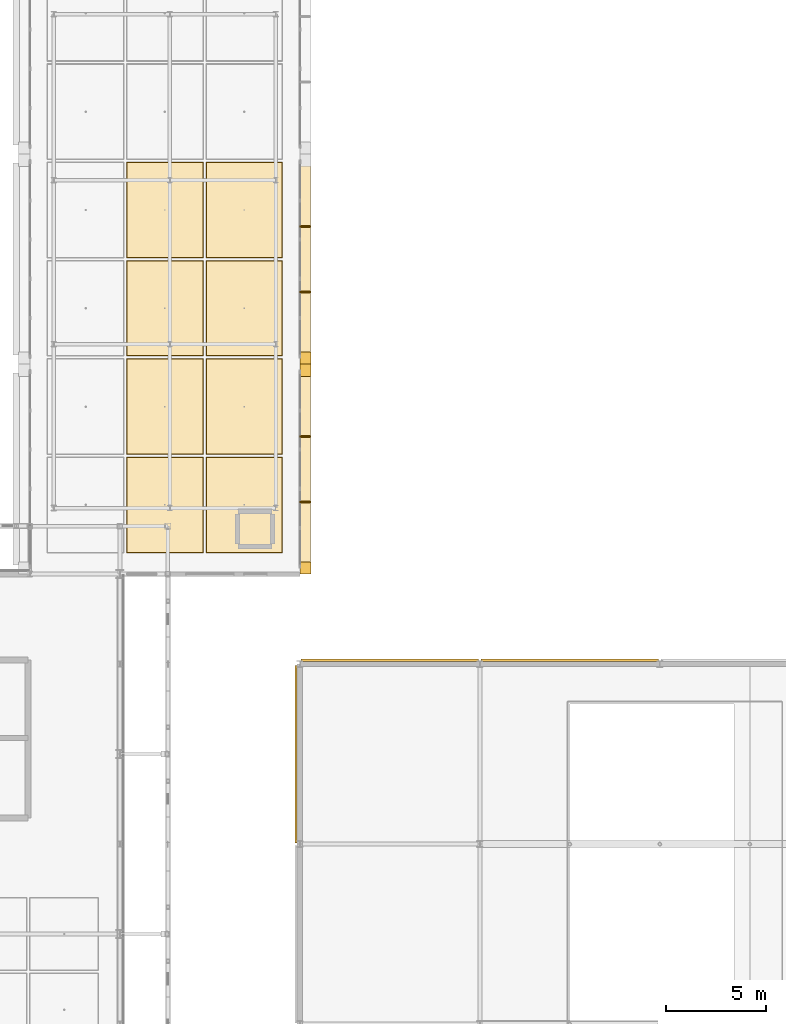
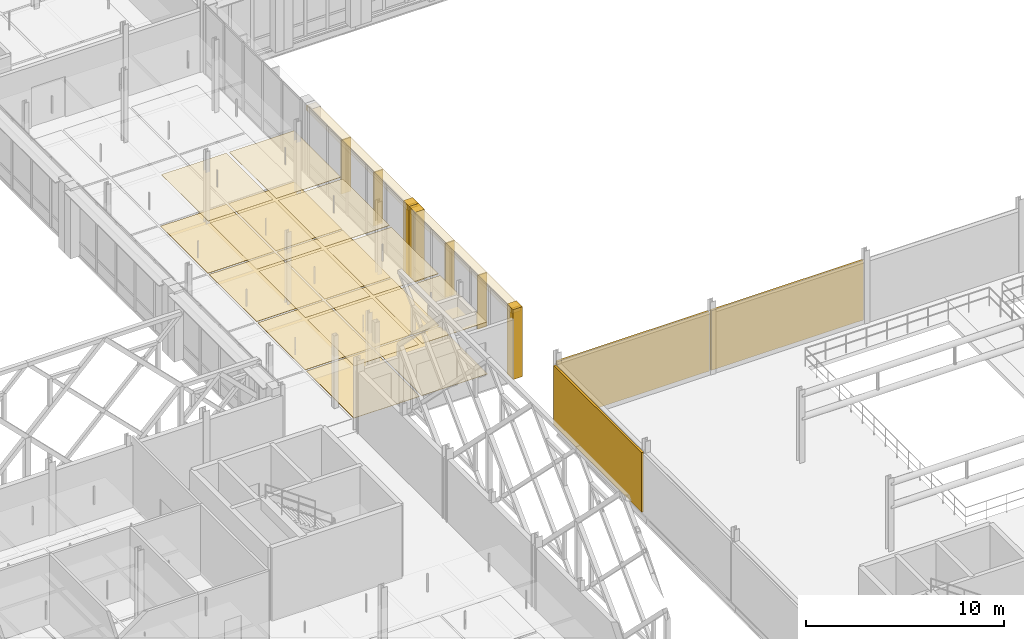
# One storey, part 133 of 140: 24 coverings, 4 shading devices.
"""IFC4 building model written with IfcOpenShell, lengths in metres."""

import ifcopenshell
import ifcopenshell.guid

model = None  # the IFC model being written
_history = None  # IfcOwnerHistory: only IFC2X3 demands one
_inside = {}  # id of a spatial element -> (the spatial element, [elements in it])
_under = {}  # id of a project, library or spatial element -> (it, [spatial elements below it])
_declared = {}  # id of a project -> (the project, [libraries it declares])
_typed = {}  # id of a type object -> (the type object, [elements of that type])
_made_of = {}  # id of a material, layer set ... -> (it, [elements and type objects made of it])


def new_model(schema):
    """Start an empty IFC model of exactly this schema.

    Asked for "IFC4X3", IfcOpenShell would pick the latest addendum, in which some entities
    have other attributes; the version numbers below select the first issue.
    IFC2X3 requires an IfcOwnerHistory on every rooted entity: one is made here for all.
    """
    global model, _history
    if schema == "IFC4X3":
        model = ifcopenshell.file(schema_version=(4, 3, 0, 0))
    else:
        model = ifcopenshell.file(schema=schema)
    _inside.clear()
    _under.clear()
    _declared.clear()
    _typed.clear()
    _made_of.clear()
    _history = None
    if model.schema == "IFC2X3":
        org = make("IfcOrganization", Name="unknown")
        user = make(
            "IfcPersonAndOrganization",
            ThePerson=make("IfcPerson", FamilyName="unknown"),
            TheOrganization=org,
        )
        app = make(
            "IfcApplication",
            ApplicationDeveloper=org,
            Version="unknown",
            ApplicationFullName="unknown",
            ApplicationIdentifier="unknown",
        )
        _history = make(
            "IfcOwnerHistory",
            OwningUser=user,
            OwningApplication=app,
            ChangeAction="ADDED",
            CreationDate=0,
        )
    return model


def make(cls, **values):
    """One entity of the class cls with the attributes given. An attribute that is None is left unset."""
    return model.create_entity(
        cls, **{name: value for name, value in values.items() if value is not None}
    )


def rooted(cls, **values):
    """An entity with a GlobalId (a new one), such as an element, a storey or a relation."""
    return make(cls, GlobalId=ifcopenshell.guid.new(), OwnerHistory=_history, **values)


def si_unit(unit_type, name, prefix=None):
    """IfcSIUnit, for example si_unit("LENGTHUNIT", "METRE", prefix="MILLI")."""
    return make("IfcSIUnit", UnitType=unit_type, Prefix=prefix, Name=name)


def assignment(units):
    """IfcUnitAssignment: the units of a project."""
    return None if units is None else make("IfcUnitAssignment", Units=units)


def point(xyz):
    """IfcCartesianPoint."""
    return None if xyz is None else make("IfcCartesianPoint", Coordinates=xyz)


def direction(xyz):
    """IfcDirection."""
    return None if xyz is None else make("IfcDirection", DirectionRatios=xyz)


def frame(location, z_axis=None, x_axis=None):
    """IfcAxis2Placement3D, a coordinate frame: its origin and axes. An axis left out is left unset."""
    return make(
        "IfcAxis2Placement3D",
        Location=point(location),
        Axis=direction(z_axis),
        RefDirection=direction(x_axis),
    )


def frame_2d(location, x_axis=None):
    """IfcAxis2Placement2D, a coordinate frame in the plane: its origin and x axis."""
    return make(
        "IfcAxis2Placement2D", Location=point(location), RefDirection=direction(x_axis)
    )


def origin():
    """The frame at (0, 0, 0) with its axes left unset."""
    return frame((0.0, 0.0, 0.0))


def origin_2d():
    """The frame at (0, 0) in the plane with its x axis left unset."""
    return frame_2d((0.0, 0.0))


def place(relative_to, where):
    """IfcLocalPlacement: puts the frame where relative to a parent placement (None: the world)."""
    return make(
        "IfcLocalPlacement", PlacementRelTo=relative_to, RelativePlacement=where
    )


def context(
    kind, dimensions, precision=None, world=None, true_north=None, identifier=None
):
    """IfcGeometricRepresentationContext, for example the 3D "Model" context."""
    return make(
        "IfcGeometricRepresentationContext",
        ContextIdentifier=identifier,
        ContextType=kind,
        CoordinateSpaceDimension=dimensions,
        Precision=precision,
        WorldCoordinateSystem=world,
        TrueNorth=true_north,
    )


def subcontext(parent, identifier, kind, view, scale=None):
    """IfcGeometricRepresentationSubContext, for example "Body" below "Model"."""
    return make(
        "IfcGeometricRepresentationSubContext",
        ContextIdentifier=identifier,
        ContextType=kind,
        ParentContext=parent,
        TargetScale=scale,
        TargetView=view,
    )


def project(units=None, contexts=None):
    """IfcProject with its units and contexts."""
    return rooted(
        "IfcProject",
        Name="project",
        RepresentationContexts=contexts,
        UnitsInContext=assignment(units),
    )


def spatial(cls, under=None, at=None, **own):
    """A site, building, storey or space (cls), placed at a placement, below another one or the project."""
    s = rooted(cls, ObjectPlacement=at, **own)
    if under is not None:
        _under.setdefault(under.id(), (under, []))[1].append(s)
    return s


def profile(cls, at=None, kind="AREA", **sizes):
    """A parametric profile (cls). Its sizes go by their IFC names, for example OverallWidth=200.0."""
    return make(cls, ProfileType=kind, Position=at, **sizes)


def rectangle(**sizes):
    """IfcRectangleProfileDef."""
    return profile("IfcRectangleProfileDef", **sizes)


def extrude(swept, where, along, depth):
    """IfcExtrudedAreaSolid: the profile swept, set in the frame where, extruded along a direction by depth."""
    return make(
        "IfcExtrudedAreaSolid",
        SweptArea=swept,
        Position=where,
        ExtrudedDirection=direction(along),
        Depth=depth,
    )


def shape(context_of_items, identifier, shape_type, items):
    """IfcShapeRepresentation: the items that make up one representation, for example the "Body"."""
    return make(
        "IfcShapeRepresentation",
        ContextOfItems=context_of_items,
        RepresentationIdentifier=identifier,
        RepresentationType=shape_type,
        Items=items,
    )


def material(Name=None, Category=None):
    """IfcMaterial."""
    return make("IfcMaterial", Name=Name, Category=Category)


def layer(
    of_material, thickness, ventilated=None, Name=None, Category=None, Priority=None
):
    """IfcMaterialLayer: one layer of a wall or slab, of a material (None: an air gap)."""
    return make(
        "IfcMaterialLayer",
        Material=of_material,
        LayerThickness=thickness,
        IsVentilated=ventilated,
        Name=Name,
        Category=Category,
        Priority=Priority,
    )


def layer_set(layers, Name=None):
    """IfcMaterialLayerSet."""
    return make("IfcMaterialLayerSet", MaterialLayers=layers, LayerSetName=Name)


def made_of(thing, what):
    """Note that an element or type object is made of a material, layer set ...; save() writes the relation."""
    if what is not None:
        _made_of.setdefault(what.id(), (what, []))[1].append(thing)
    return thing


def type_object(cls, material=None, **own):
    """A type object (cls), such as IfcWallType, which elements share."""
    return made_of(rooted(cls, **own), material)


def element(
    cls,
    number,
    at=None,
    inside=None,
    cuts=None,
    type_object=None,
    material=None,
    context=None,
    identifier="Body",
    shape_type=None,
    held_by="IfcProductDefinitionShape",
    body=None,
    shapes=None,
    **own,
):
    """One element of the class cls, such as IfcWall. Its Tag is "e" and its number.

    at: its placement. inside: the storey or other place that contains it. cuts: it is an
    opening in that element (IfcRelVoidsElement). A single representation is given by context,
    identifier, shape_type and body (its items); several are given by shapes. held_by: the class
    of the entity that holds the representations. save() writes the other relations.
    """
    e = rooted(cls, Tag="e%d" % number, ObjectPlacement=at, **own)
    if body is not None:
        shapes = [shape(context, identifier, shape_type, body)]
    if shapes is not None:
        e.Representation = make(held_by, Representations=shapes)
    if inside is not None:
        _inside.setdefault(inside.id(), (inside, []))[1].append(e)
    if cuts is not None:
        rooted(
            "IfcRelVoidsElement", RelatingBuildingElement=cuts, RelatedOpeningElement=e
        )
    if type_object is not None:
        _typed.setdefault(type_object.id(), (type_object, []))[1].append(e)
    return made_of(e, material)


def aggregate(whole, parts):
    """IfcRelAggregates: a whole, such as a stair, and the parts it consists of."""
    return rooted("IfcRelAggregates", RelatingObject=whole, RelatedObjects=parts)


def save(model, path):
    """Write the relations noted so far, then the file.

    IfcRelAggregates (storeys below a building ...), IfcRelContainedInSpatialStructure (elements
    in a storey), IfcRelDefinesByType, IfcRelAssociatesMaterial and IfcRelDeclares: one each for
    every whole, place, type object, material and project.
    """
    for whole, parts in _under.values():
        aggregate(whole, parts)
    for where, things in _inside.values():
        rooted(
            "IfcRelContainedInSpatialStructure",
            RelatedElements=things,
            RelatingStructure=where,
        )
    for kind, things in _typed.values():
        rooted("IfcRelDefinesByType", RelatedObjects=things, RelatingType=kind)
    for what, things in _made_of.values():
        rooted("IfcRelAssociatesMaterial", RelatedObjects=things, RelatingMaterial=what)
    for by, libraries in _declared.values():
        rooted("IfcRelDeclares", RelatingContext=by, RelatedDefinitions=libraries)
    model.write(path)


model = new_model("IFC4")

# Units and contexts
model_context = context("Model", 3, precision=1e-05, world=origin(), true_north=direction((0.0, 1.0)))
body_context = subcontext(model_context, "Body", "Model", "MODEL_VIEW")
ifc_project = project(units=[si_unit("LENGTHUNIT", "METRE"), si_unit("AREAUNIT", "SQUARE_METRE"), si_unit("VOLUMEUNIT", "CUBIC_METRE"), si_unit("PLANEANGLEUNIT", "RADIAN"), si_unit("MASSUNIT", "GRAM", prefix="KILO"), si_unit("THERMODYNAMICTEMPERATUREUNIT", "KELVIN"), si_unit("POWERUNIT", "WATT")], contexts=[model_context])

# Site, building, storey
site_placement = place(None, origin())
site = spatial("IfcSite", under=ifc_project, at=site_placement, CompositionType="ELEMENT")
building_placement = place(site_placement, origin())
building = spatial("IfcBuilding", under=site, at=building_placement, Name="Tallowbark Science Centre", CompositionType="ELEMENT")
storey_placement = place(building_placement, frame((0.0, 0.0, 9.89990234375)))
storey = spatial("IfcBuildingStorey", under=building, at=storey_placement, Name="L02", CompositionType="ELEMENT", Elevation=9.89990234375)

# Coverings
ifc_material_1 = material(Name="Perforated Spotted Gum Acoustic Baffle Ceiling", Category="wood")
ifc_layer_1 = layer(ifc_material_1, 0.02490234375)
ifc_layer_set_1 = layer_set([ifc_layer_1], Name="Perforated Spotted Gum Acoustic Baffle Ceiling")
covering_type_1 = type_object("IfcCoveringType", Name="CLG-TIM-25", PredefinedType="CEILING", material=ifc_layer_set_1)
for number, where, z_axis, x_axis, name in (
    (1, (105.75, 43.958251953125, 3.187744140625), (0.0, 0.0, 1.0), (1.0, 0.0, 0.0), "Suspended Ceiling L02-854"),
    (2, (105.75, 48.875, 3.187744140625), (0.0, 0.0, 1.0), (1.0, 0.0, 0.0), "Suspended Ceiling L02-855"),
    (3, (105.75, 53.791748046875, 3.187744140625), (0.0, 0.0, 1.0), (1.0, 0.0, 0.0), "Suspended Ceiling L02-856"),
    (4, (105.75, 58.708251953125, 3.187744140625), (0.0, 0.0, 1.0), (1.0, 0.0, 0.0), "Suspended Ceiling L02-857"),
    (5, (109.716796875, 43.958251953125, 3.187744140625), (0.0, 0.0, 1.0), (1.0, 0.0, 0.0), "Suspended Ceiling L02-860"),
    (6, (109.716796875, 48.875, 3.187744140625), (0.0, 0.0, 1.0), (1.0, 0.0, 0.0), "Suspended Ceiling L02-861"),
    (7, (109.716796875, 53.791748046875, 3.187744140625), (0.0, 0.0, 1.0), (1.0, 0.0, 0.0), "Suspended Ceiling L02-862"),
    (8, (109.716796875, 58.708251953125, 3.187744140625), (0.0, 0.0, 1.0), (1.0, 0.0, 0.0), "Suspended Ceiling L02-863"),
):
    element("IfcCovering", number, at=place(storey_placement, frame(where, z_axis=z_axis, x_axis=x_axis)), inside=storey, type_object=covering_type_1, Name=name, PredefinedType="CEILING", context=body_context, shape_type="SweptSolid", body=[
        extrude(rectangle(XDim=3.78662109375, YDim=4.73681640625, at=origin_2d()), origin(), (0.0, 0.0, 1.0), 0.02490234375),
    ])
ifc_material_2 = material(Name="White Architectural Precast Concrete Grade N40 (40 MPa)", Category="concrete")
ifc_layer_2 = layer(ifc_material_2, 0.1201171875)
ifc_layer_set_2 = layer_set([ifc_layer_2], Name="White Architectural Precast Concrete Grade N40 (40 MPa)")
covering_type_2 = type_object("IfcCoveringType", Name="COV-PRC-CLAD", PredefinedType="CLADDING", material=ifc_layer_set_2)
for number, where, z_axis, x_axis, name in (
    (9, (117.0, 36.1923828125, 0.050048828125), (0.0, 0.0, 1.0), (-1.0, 0.0, 0.0), "Architectural Rainscreen THT-N-L02-0"),
    (10, (126.0, 36.1923828125, 0.050048828125), (0.0, 0.0, 1.0), (-1.0, 0.0, 0.0), "Architectural Rainscreen THT-N-L02-1"),
    (11, (112.3076171875, 31.5, 0.050048828125), (0.0, 0.0, 1.0), (0.0, -1.0, 0.0), "Architectural Rainscreen THT-W-L02-3"),
):
    element("IfcCovering", number, at=place(storey_placement, frame(where, z_axis=z_axis, x_axis=x_axis)), inside=storey, type_object=covering_type_2, Name=name, PredefinedType="CLADDING", context=body_context, shape_type="SweptSolid", body=[
        extrude(rectangle(XDim=8.8798828125, YDim=0.1201171875, at=origin_2d()), origin(), (0.0, 0.0, 1.0), 3.68115234375),
    ])
for number, where, z_axis, x_axis, name in (
    (12, (112.780029296875, 40.804931640625, 0.0), (0.0, 0.0, 1.0), (0.0, 1.0, 0.0), "Postmodern Deep Precast Pier CW-L02-017-1"),
    (13, (112.780029296875, 50.695068359375, 0.0), (0.0, 0.0, 1.0), (0.0, 1.0, 0.0), "Postmodern Deep Precast Pier CW-L02-017-2"),
    (14, (112.780029296875, 51.304931640625, 0.0), (0.0, 0.0, 1.0), (0.0, 1.0, 0.0), "Postmodern Deep Precast Pier CW-L02-019-1"),
):
    element("IfcCovering", number, at=place(storey_placement, frame(where, z_axis=z_axis, x_axis=x_axis)), inside=storey, type_object=covering_type_2, Name=name, PredefinedType="CLADDING", context=body_context, shape_type="SweptSolid", body=[
        extrude(rectangle(XDim=0.610107421875, YDim=0.56005859375, at=origin_2d()), origin(), (0.0, 0.0, 1.0), 4.320068359375),
    ])
ifc_material_3 = material(Name="Vitrified Ochre Terracotta Architectural Rainscreen", Category="masonry")
ifc_layer_3 = layer(ifc_material_3, 0.0380859375)
ifc_layer_set_3 = layer_set([ifc_layer_3], Name="Vitrified Ochre Terracotta Architectural Rainscreen")
covering_type_3 = type_object("IfcCoveringType", Name="COV-TER-CLAD", PredefinedType="CLADDING", material=ifc_layer_set_3)
for number, where, z_axis, x_axis, name in (
    (15, (112.760009765625, 45.75, 3.97021484375), (0.0, 0.0, 1.0), (0.0, 1.0, 0.0), "Postmodern Terracotta Cornice Band CW-L02-017"),
    (16, (112.760009765625, 56.25, 3.97021484375), (0.0, 0.0, 1.0), (0.0, 1.0, 0.0), "Postmodern Terracotta Cornice Band CW-L02-019"),
):
    element("IfcCovering", number, at=place(storey_placement, frame(where, z_axis=z_axis, x_axis=x_axis)), inside=storey, type_object=covering_type_3, Name=name, PredefinedType="CLADDING", context=body_context, shape_type="SweptSolid", body=[
        extrude(rectangle(XDim=10.199951171875, YDim=0.52001953125, at=origin_2d()), origin(), (0.0, 0.0, 1.0), 0.340087890625),
    ])
ifc_material_4 = material(Name="Polished Recycled-Glass Terrazzo Foyer Flooring", Category="glass")
ifc_layer_4 = layer(ifc_material_4, 0.02001953125)
ifc_layer_set_4 = layer_set([ifc_layer_4], Name="Polished Recycled-Glass Terrazzo Foyer Flooring")
covering_type_4 = type_object("IfcCoveringType", Name="FLR-TER-20", PredefinedType="FLOORING", material=ifc_layer_set_4)
for number, where, z_axis, x_axis, name in (
    (17, (105.75, 43.958251953125, 0.0), (0.0, 0.0, 1.0), (1.0, 0.0, 0.0), "Floor Finish L02-854"),
    (18, (105.75, 48.875, 0.0), (0.0, 0.0, 1.0), (1.0, 0.0, 0.0), "Floor Finish L02-855"),
    (19, (105.75, 53.791748046875, 0.0), (0.0, 0.0, 1.0), (1.0, 0.0, 0.0), "Floor Finish L02-856"),
    (20, (105.75, 58.708251953125, 0.0), (0.0, 0.0, 1.0), (1.0, 0.0, 0.0), "Floor Finish L02-857"),
    (21, (109.716796875, 43.958251953125, 0.0), (0.0, 0.0, 1.0), (1.0, 0.0, 0.0), "Floor Finish L02-860"),
    (22, (109.716796875, 48.875, 0.0), (0.0, 0.0, 1.0), (1.0, 0.0, 0.0), "Floor Finish L02-861"),
    (23, (109.716796875, 53.791748046875, 0.0), (0.0, 0.0, 1.0), (1.0, 0.0, 0.0), "Floor Finish L02-862"),
    (24, (109.716796875, 58.708251953125, 0.0), (0.0, 0.0, 1.0), (1.0, 0.0, 0.0), "Floor Finish L02-863"),
):
    element("IfcCovering", number, at=place(storey_placement, frame(where, z_axis=z_axis, x_axis=x_axis)), inside=storey, type_object=covering_type_4, Name=name, PredefinedType="FLOORING", context=body_context, shape_type="SweptSolid", body=[
        extrude(rectangle(XDim=3.8466796875, YDim=4.796630859375, at=origin_2d()), origin(), (0.0, 0.0, 1.0), 0.02001953125),
    ])

# Shading devices
ifc_material_5 = material(Name="Sandstone-Finished Architectural Aluminium Solar Fin", Category="masonry")
shading_device_type = type_object("IfcShadingDeviceType", Name="SHD-FIN-400", PredefinedType="JALOUSIE", material=ifc_material_5)
for number, where, z_axis, x_axis, name in (
    (25, (112.780029296875, 44.11669921875, 0.92529296875), (0.0, 0.0, 1.0), (0.0, 1.0, 0.0), "Vertical Solar Fin CW-L02-017-1"),
    (26, (112.780029296875, 47.38330078125, 0.92529296875), (0.0, 0.0, 1.0), (0.0, 1.0, 0.0), "Vertical Solar Fin CW-L02-017-2"),
    (27, (112.780029296875, 54.61669921875, 0.92529296875), (0.0, 0.0, 1.0), (0.0, 1.0, 0.0), "Vertical Solar Fin CW-L02-019-1"),
    (28, (112.780029296875, 57.88330078125, 0.92529296875), (0.0, 0.0, 1.0), (0.0, 1.0, 0.0), "Vertical Solar Fin CW-L02-019-2"),
):
    element("IfcShadingDevice", number, at=place(storey_placement, frame(where, z_axis=z_axis, x_axis=x_axis)), inside=storey, type_object=shading_device_type, Name=name, PredefinedType="JALOUSIE", context=body_context, shape_type="SweptSolid", body=[
        extrude(rectangle(XDim=0.074951171875, YDim=0.550048828125, at=origin_2d()), origin(), (0.0, 0.0, 1.0), 3.320068359375),
    ])

save(model, "model.ifc")
